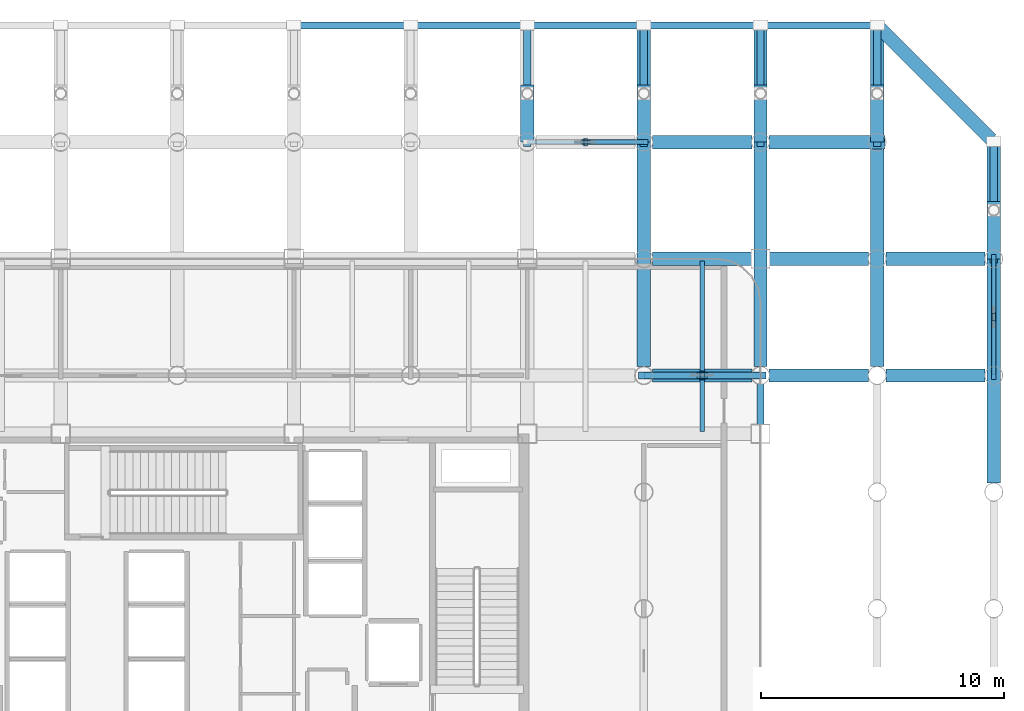
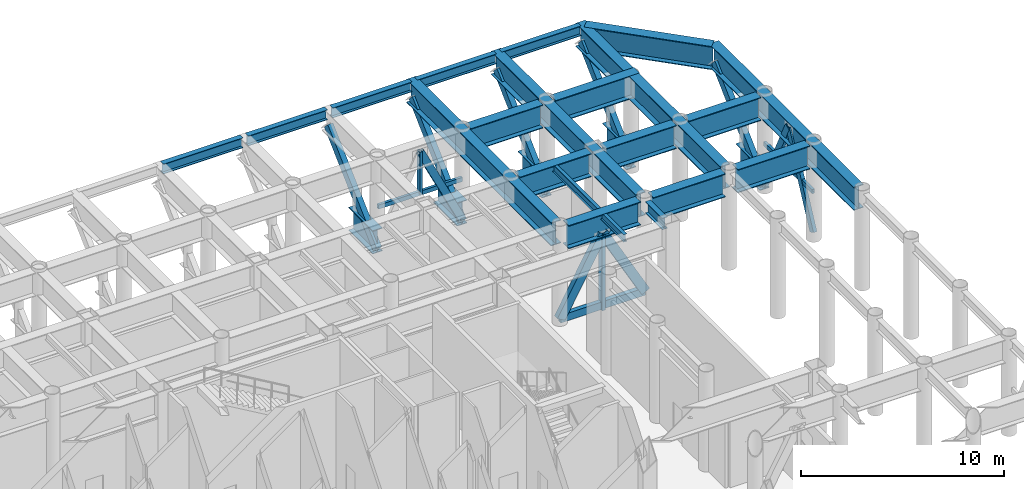
# One storey, part 10 of 19: 25 beams, 16 members.
"""IFC4 building model written with IfcOpenShell, lengths in metres."""

from ifc_helpers import new_model, si_unit, direction, frame, origin, origin_2d, place, context, subcontext, project, spatial, hollow_rectangle, i_section, extrude, material, material_profile, profile_set, type_object, element, save


model = new_model("IFC4")

# Units and contexts
model_context = context("Model", 3, precision=1e-05, world=origin(), true_north=direction((0.0, 1.0)))
body_context = subcontext(model_context, "Body", "Model", "MODEL_VIEW")
ifc_project = project(units=[si_unit("LENGTHUNIT", "METRE"), si_unit("AREAUNIT", "SQUARE_METRE"), si_unit("VOLUMEUNIT", "CUBIC_METRE"), si_unit("PLANEANGLEUNIT", "RADIAN"), si_unit("MASSUNIT", "GRAM", prefix="KILO")], contexts=[model_context])

# Site, building, storey
site_placement = place(None, origin())
site = spatial("IfcSite", under=ifc_project, at=site_placement, CompositionType="ELEMENT")
building_placement = place(site_placement, origin())
building = spatial("IfcBuilding", under=site, at=building_placement, Name="Kallvorn Hotel Tower", CompositionType="ELEMENT")
storey_placement = place(building_placement, frame((0.0, 0.0, 89.199951171875)))
storey = spatial("IfcBuildingStorey", under=building, at=storey_placement, Name="L21", CompositionType="ELEMENT", Elevation=89.199951171875)

# Beams
ifc_material_1 = material(Name="Structural steel S355JR", Category="steel")
ifc_material_profile_1 = material_profile(ifc_material_1, i_section(OverallWidth=0.300048828125, OverallDepth=0.60009765625, WebThickness=0.015380859375, FlangeThickness=0.030029296875, at=origin_2d()), Name="HE 600 B")
ifc_profile_set_1 = profile_set([ifc_material_profile_1], Name="Structural steel S355JR")
beam_type_1 = type_object("IfcBeamType", Name="BM_HE600B", PredefinedType="SPANDREL", material=ifc_profile_set_1)
for number, where, z_axis, x_axis, name in (
    (1, (4.949951171875, 24.0, 5.52001953125), (1.0, 0.0, 0.0), (0.0, 1.0, 0.0), "L22 Perimeter Spandrel 182"),
    (2, (9.75, 24.0, 5.52001953125), (1.0, 0.0, 0.0), (0.0, 1.0, 0.0), "L22 Perimeter Spandrel 183"),
    (3, (14.550048828125, 24.0, 5.52001953125), (1.0, 0.0, 0.0), (0.0, 1.0, 0.0), "L22 Perimeter Spandrel 184"),
    (4, (19.35009765625, 24.0, 5.52001953125), (1.0, 0.0, 0.0), (0.0, 1.0, 0.0), "L22 Perimeter Spandrel 185"),
    (5, (24.14990234375, 24.0, 5.52001953125), (1.0, 0.0, 0.0), (0.0, 1.0, 0.0), "L22 Perimeter Spandrel 186"),
):
    element("IfcBeam", number, at=place(storey_placement, frame(where, z_axis=z_axis, x_axis=x_axis)), inside=storey, type_object=beam_type_1, Name=name, PredefinedType="SPANDREL", context=body_context, shape_type="SweptSolid", body=[
        extrude(i_section(OverallWidth=0.300048828125, OverallDepth=0.60009765625, WebThickness=0.015380859375, FlangeThickness=0.030029296875, at=origin_2d()), origin(), (0.0, 0.0, 1.0), 4.5),
    ])
ifc_material_2 = material(Name="Structural steel S355JR", Category="steel")
ifc_material_profile_2 = material_profile(ifc_material_2, i_section(OverallWidth=0.300048828125, OverallDepth=0.699951171875, WebThickness=0.01708984375, FlangeThickness=0.031982421875, at=origin_2d()), Name="HE 700 B")
ifc_profile_set_2 = profile_set([ifc_material_profile_2], Name="Structural steel S355JR")
beam_type_2 = type_object("IfcBeamType", Name="BM_HE700B", PredefinedType="BEAM", material=ifc_profile_set_2)
beam_1_placement = place(storey_placement, frame((24.0, 7.574951171875, 5.469970703125), z_axis=(0.0, 1.0, 0.0), x_axis=(-1.0, 0.0, 0.0)))
element("IfcBeam", 6, at=beam_1_placement, inside=storey, type_object=beam_type_2, Name="L22 Primary Y-Girder 152", PredefinedType="BEAM", context=body_context, shape_type="SweptSolid", body=[
    extrude(i_section(OverallWidth=0.300048828125, OverallDepth=0.699951171875, WebThickness=0.01708984375, FlangeThickness=0.031982421875, at=origin_2d()), origin(), (0.0, 0.0, 1.0), 1.6689453125),
])
ifc_material_3 = material(Name="Structural steel S355JR", Category="steel")
ifc_material_profile_3 = material_profile(ifc_material_3, i_section(OverallWidth=0.18994140625, OverallDepth=0.449951171875, WebThickness=0.009521484375, FlangeThickness=0.0146484375, at=origin_2d()), Name="IPE 450")
ifc_profile_set_3 = profile_set([ifc_material_profile_3], Name="Structural steel S355JR")
beam_type_3 = type_object("IfcBeamType", Name="BM_IPE450", PredefinedType="JOIST", material=ifc_profile_set_3)
beam_2_placement = place(storey_placement, frame((21.60009765625, 7.300048828125, 5.594970703125), z_axis=(0.0, 1.0, 0.0), x_axis=(-1.0, 0.0, 0.0)))
element("IfcBeam", 7, at=beam_2_placement, inside=storey, type_object=beam_type_3, Name="L22 Secondary Composite Joist 222", PredefinedType="JOIST", context=body_context, shape_type="SweptSolid", body=[
    extrude(i_section(OverallWidth=0.18994140625, OverallDepth=0.449951171875, WebThickness=0.009521484375, FlangeThickness=0.0146484375, at=origin_2d()), origin(), (0.0, 0.0, 1.0), 7.0),
])
ifc_material_4 = material(Name="Structural steel S355JR", Category="steel")
ifc_material_profile_4 = material_profile(ifc_material_4, i_section(OverallWidth=0.550048828125, OverallDepth=1.39990234375, WebThickness=0.02490234375, FlangeThickness=0.044921875, at=origin_2d()), Name="PG 1400x550x25x45")
ifc_profile_set_4 = profile_set([ifc_material_profile_4], Name="Structural steel S355JR")
beam_type_4 = type_object("IfcBeamType", Name="BM_PG_1400", PredefinedType="BEAM", material=ifc_profile_set_4)
beam_3_placement = place(storey_placement, frame((14.39990234375, 19.199951171875, 0.719970703125), z_axis=(0.0, 1.0, 0.0), x_axis=(-1.0, 0.0, 0.0)))
element("IfcBeam", 8, at=beam_3_placement, inside=storey, type_object=beam_type_4, Name="L22 Cantilever Haunch Corbel 09", PredefinedType="BEAM", context=body_context, shape_type="SweptSolid", body=[
    extrude(i_section(OverallWidth=0.550048828125, OverallDepth=1.39990234375, WebThickness=0.02490234375, FlangeThickness=0.044921875, at=origin_2d()), origin(), (0.0, 0.0, 1.0), 2.35009765625),
])
beam_4_placement = place(storey_placement, frame((19.199951171875, 9.970947265625, 5.1201171875), z_axis=(0.0, 1.0, 0.0), x_axis=(-1.0, 0.0, 0.0)))
element("IfcBeam", 9, at=beam_4_placement, inside=storey, type_object=beam_type_4, Name="L22 Continuous Cantilever Transfer Girder 10", PredefinedType="BEAM", context=body_context, shape_type="SweptSolid", body=[
    extrude(i_section(OverallWidth=0.550048828125, OverallDepth=1.39990234375, WebThickness=0.02490234375, FlangeThickness=0.044921875, at=origin_2d()), origin(), (0.0, 0.0, 1.0), 14.208984375),
])
beam_5_placement = place(storey_placement, frame((19.199951171875, 19.199951171875, 0.719970703125), z_axis=(0.0, 1.0, 0.0), x_axis=(-1.0, 0.0, 0.0)))
element("IfcBeam", 10, at=beam_5_placement, inside=storey, type_object=beam_type_4, Name="L22 Cantilever Haunch Corbel 10", PredefinedType="BEAM", context=body_context, shape_type="SweptSolid", body=[
    extrude(i_section(OverallWidth=0.550048828125, OverallDepth=1.39990234375, WebThickness=0.02490234375, FlangeThickness=0.044921875, at=origin_2d()), origin(), (0.0, 0.0, 1.0), 2.35009765625),
])
beam_6_placement = place(storey_placement, frame((24.0, 9.970947265625, 5.1201171875), z_axis=(0.0, 1.0, 0.0), x_axis=(-1.0, 0.0, 0.0)))
element("IfcBeam", 11, at=beam_6_placement, inside=storey, type_object=beam_type_4, Name="L22 Continuous Cantilever Transfer Girder 11", PredefinedType="BEAM", context=body_context, shape_type="SweptSolid", body=[
    extrude(i_section(OverallWidth=0.550048828125, OverallDepth=1.39990234375, WebThickness=0.02490234375, FlangeThickness=0.044921875, at=origin_2d()), origin(), (0.0, 0.0, 1.0), 14.208984375),
])
beam_7_placement = place(storey_placement, frame((24.0, 19.199951171875, 0.719970703125), z_axis=(0.0, 1.0, 0.0), x_axis=(-1.0, 0.0, 0.0)))
element("IfcBeam", 12, at=beam_7_placement, inside=storey, type_object=beam_type_4, Name="L22 Cantilever Haunch Corbel 11", PredefinedType="BEAM", context=body_context, shape_type="SweptSolid", body=[
    extrude(i_section(OverallWidth=0.550048828125, OverallDepth=1.39990234375, WebThickness=0.02490234375, FlangeThickness=0.044921875, at=origin_2d()), origin(), (0.0, 0.0, 1.0), 2.35009765625),
])
beam_8_placement = place(storey_placement, frame((28.800048828125, 9.970947265625, 5.1201171875), z_axis=(0.0, 1.0, 0.0), x_axis=(-1.0, 0.0, 0.0)))
element("IfcBeam", 13, at=beam_8_placement, inside=storey, type_object=beam_type_4, Name="L22 Continuous Cantilever Transfer Girder 12", PredefinedType="BEAM", context=body_context, shape_type="SweptSolid", body=[
    extrude(i_section(OverallWidth=0.550048828125, OverallDepth=1.39990234375, WebThickness=0.02490234375, FlangeThickness=0.044921875, at=origin_2d()), origin(), (0.0, 0.0, 1.0), 14.208984375),
])
beam_9_placement = place(storey_placement, frame((28.800048828125, 19.199951171875, 0.719970703125), z_axis=(0.0, 1.0, 0.0), x_axis=(-1.0, 0.0, 0.0)))
element("IfcBeam", 14, at=beam_9_placement, inside=storey, type_object=beam_type_4, Name="L22 Cantilever Haunch Corbel 12", PredefinedType="BEAM", context=body_context, shape_type="SweptSolid", body=[
    extrude(i_section(OverallWidth=0.550048828125, OverallDepth=1.39990234375, WebThickness=0.02490234375, FlangeThickness=0.044921875, at=origin_2d()), origin(), (0.0, 0.0, 1.0), 2.35009765625),
])
beam_10_placement = place(storey_placement, frame((33.60009765625, 5.1708984375, 5.1201171875), z_axis=(0.0, 1.0, 0.0), x_axis=(-1.0, 0.0, 0.0)))
element("IfcBeam", 15, at=beam_10_placement, inside=storey, type_object=beam_type_4, Name="L22 Continuous Cantilever Transfer Girder 13", PredefinedType="BEAM", context=body_context, shape_type="SweptSolid", body=[
    extrude(i_section(OverallWidth=0.550048828125, OverallDepth=1.39990234375, WebThickness=0.02490234375, FlangeThickness=0.044921875, at=origin_2d()), origin(), (0.0, 0.0, 1.0), 14.208984375),
])
beam_11_placement = place(storey_placement, frame((33.60009765625, 14.39990234375, 0.719970703125), z_axis=(0.0, 1.0, 0.0), x_axis=(-1.0, 0.0, 0.0)))
element("IfcBeam", 16, at=beam_11_placement, inside=storey, type_object=beam_type_4, Name="L22 Cantilever Haunch Corbel 13", PredefinedType="BEAM", context=body_context, shape_type="SweptSolid", body=[
    extrude(i_section(OverallWidth=0.550048828125, OverallDepth=1.39990234375, WebThickness=0.02490234375, FlangeThickness=0.044921875, at=origin_2d()), origin(), (0.0, 0.0, 1.0), 2.35009765625),
])
for number, where, z_axis, x_axis, name in (
    (17, (19.555908203125, 9.60009765625, 5.1201171875), (1.0, 0.0, 0.0), (0.0, 1.0, 0.0), "L22 Primary X-Girder 61"),
    (18, (24.35595703125, 9.60009765625, 5.1201171875), (1.0, 0.0, 0.0), (0.0, 1.0, 0.0), "L22 Primary X-Girder 62"),
):
    element("IfcBeam", number, at=place(storey_placement, frame(where, z_axis=z_axis, x_axis=x_axis)), inside=storey, type_object=beam_type_4, Name=name, PredefinedType="BEAM", context=body_context, shape_type="SweptSolid", body=[
        extrude(i_section(OverallWidth=0.550048828125, OverallDepth=1.39990234375, WebThickness=0.02490234375, FlangeThickness=0.044921875, at=origin_2d()), origin(), (0.0, 0.0, 1.0), 4.088134765625),
    ])
beam_12_placement = place(storey_placement, frame((29.156005859375, 9.60009765625, 5.1201171875), z_axis=(1.0, 0.0, 0.0), x_axis=(0.0, 1.0, 0.0)))
element("IfcBeam", 19, at=beam_12_placement, inside=storey, type_object=beam_type_4, Name="L22 Primary X-Girder 63", PredefinedType="BEAM", context=body_context, shape_type="SweptSolid", body=[
    extrude(i_section(OverallWidth=0.550048828125, OverallDepth=1.39990234375, WebThickness=0.02490234375, FlangeThickness=0.044921875, at=origin_2d()), origin(), (0.0, 0.0, 1.0), 4.087890625),
])
for number, where, z_axis, x_axis, name in (
    (20, (19.555908203125, 14.39990234375, 5.1201171875), (1.0, 0.0, 0.0), (0.0, 1.0, 0.0), "L22 Primary X-Girder 71"),
    (21, (24.375, 14.39990234375, 5.1201171875), (1.0, 0.0, 0.0), (0.0, 1.0, 0.0), "L22 Primary X-Girder 72"),
):
    element("IfcBeam", number, at=place(storey_placement, frame(where, z_axis=z_axis, x_axis=x_axis)), inside=storey, type_object=beam_type_4, Name=name, PredefinedType="BEAM", context=body_context, shape_type="SweptSolid", body=[
        extrude(i_section(OverallWidth=0.550048828125, OverallDepth=1.39990234375, WebThickness=0.02490234375, FlangeThickness=0.044921875, at=origin_2d()), origin(), (0.0, 0.0, 1.0), 4.069091796875),
    ])
beam_13_placement = place(storey_placement, frame((29.156005859375, 14.39990234375, 5.1201171875), z_axis=(1.0, 0.0, 0.0), x_axis=(0.0, 1.0, 0.0)))
element("IfcBeam", 22, at=beam_13_placement, inside=storey, type_object=beam_type_4, Name="L22 Primary X-Girder 73", PredefinedType="BEAM", context=body_context, shape_type="SweptSolid", body=[
    extrude(i_section(OverallWidth=0.550048828125, OverallDepth=1.39990234375, WebThickness=0.02490234375, FlangeThickness=0.044921875, at=origin_2d()), origin(), (0.0, 0.0, 1.0), 4.087890625),
])
beam_14_placement = place(storey_placement, frame((19.555908203125, 19.199951171875, 5.1201171875), z_axis=(1.0, 0.0, 0.0), x_axis=(0.0, 1.0, 0.0)))
element("IfcBeam", 23, at=beam_14_placement, inside=storey, type_object=beam_type_4, Name="L22 Primary X-Girder 84", PredefinedType="BEAM", context=body_context, shape_type="SweptSolid", body=[
    extrude(i_section(OverallWidth=0.550048828125, OverallDepth=1.39990234375, WebThickness=0.02490234375, FlangeThickness=0.044921875, at=origin_2d()), origin(), (0.0, 0.0, 1.0), 4.088134765625),
])
beam_15_placement = place(storey_placement, frame((24.35595703125, 19.199951171875, 5.1201171875), z_axis=(1.0, 0.0, 0.0), x_axis=(0.0, 1.0, 0.0)))
element("IfcBeam", 24, at=beam_15_placement, inside=storey, type_object=beam_type_4, Name="L22 Primary X-Girder 85", PredefinedType="BEAM", context=body_context, shape_type="SweptSolid", body=[
    extrude(i_section(OverallWidth=0.550048828125, OverallDepth=1.39990234375, WebThickness=0.02490234375, FlangeThickness=0.044921875, at=origin_2d()), origin(), (0.0, 0.0, 1.0), 4.76416015625),
])
beam_16_placement = place(storey_placement, frame((33.493896484375, 19.30615234375, 5.1201171875), z_axis=(-0.707125595474, 0.707087966398, 0.0), x_axis=(-0.707087966398, -0.707125595474, 0.0)))
element("IfcBeam", 25, at=beam_16_placement, inside=storey, type_object=beam_type_4, Name="L22 Rounded Corner Tie Beam 204", PredefinedType="BEAM", context=body_context, shape_type="SweptSolid", body=[
    extrude(i_section(OverallWidth=0.550048828125, OverallDepth=1.39990234375, WebThickness=0.02490234375, FlangeThickness=0.044921875, at=origin_2d()), origin(), (0.0, 0.0, 1.0), 6.488037109375),
])

# Members
ifc_material_5 = material(Name="Structural steel S355J2H", Category="steel")
ifc_material_profile_5 = material_profile(ifc_material_5, hollow_rectangle(XDim=0.199951171875, YDim=0.39990234375, WallThickness=0.02001953125, at=origin_2d()), Name="RHS 400x200x20")
ifc_profile_set_5 = profile_set([ifc_material_profile_5], Name="Structural steel S355J2H")
member_type_1 = type_object("IfcMemberType", Name="MBR_BELT_RHS400", PredefinedType="BRACE", material=ifc_profile_set_5)
for number, where, z_axis, x_axis, name in (
    (26, (19.191162109375, 19.199951171875, 0.3681640625), (-0.439148786384, 0.0, 0.898414349517), (0.0, -1.0, 0.0), "L21 Belt Truss Diagonal 4B"),
    (27, (33.60009765625, 9.60888671875, 0.3681640625), (0.0, 0.439148786384, 0.898414349517), (-1.0, 0.0, 0.0), "L21 Belt Truss Diagonal 8A"),
    (28, (33.60009765625, 14.39111328125, 0.3681640625), (0.0, -0.439148786384, 0.898414349517), (1.0, 0.0, 0.0), "L21 Belt Truss Diagonal 8B"),
):
    element("IfcMember", number, at=place(storey_placement, frame(where, z_axis=z_axis, x_axis=x_axis)), inside=storey, type_object=member_type_1, Name=name, PredefinedType="BRACE", context=body_context, shape_type="SweptSolid", body=[
        extrude(hollow_rectangle(XDim=0.199951171875, YDim=0.39990234375, WallThickness=0.02001953125, at=origin_2d()), origin(), (0.0, 0.0, 1.0), 5.4248046875),
    ])
ifc_material_6 = material(Name="Structural steel S355J2H", Category="steel")
ifc_material_profile_6 = material_profile(ifc_material_6, hollow_rectangle(XDim=0.25, YDim=0.449951171875, WallThickness=0.02197265625, at=origin_2d()), Name="RHS 450x250x22")
ifc_profile_set_6 = profile_set([ifc_material_profile_6], Name="Structural steel S355J2H")
member_type_2 = type_object("IfcMemberType", Name="MBR_CHORD_RHS450", PredefinedType="CHORD", material=ifc_profile_set_6)
member_1_placement = place(storey_placement, frame((19.199951171875, 9.60009765625, 0.239990234375), z_axis=(1.0, 0.0, 0.0), x_axis=(0.0, 1.0, 0.0)))
element("IfcMember", 29, at=member_1_placement, inside=storey, type_object=member_type_2, Name="L21 Outrigger Truss Bottom Chord OTE2", PredefinedType="CHORD", context=body_context, shape_type="SweptSolid", body=[
    extrude(hollow_rectangle(XDim=0.25, YDim=0.449951171875, WallThickness=0.02197265625, at=origin_2d()), origin(), (0.0, 0.0, 1.0), 4.800048828125),
])
ifc_material_7 = material(Name="Structural steel S355J2H", Category="steel")
ifc_material_profile_7 = material_profile(ifc_material_7, hollow_rectangle(XDim=0.14990234375, YDim=0.25, WallThickness=0.010009765625, at=origin_2d()), Name="RHS 250x150x10")
ifc_profile_set_7 = profile_set([ifc_material_profile_7], Name="Structural steel S355J2H")
member_type_3 = type_object("IfcMemberType", Name="MBR_COLLAR_RHS250", PredefinedType="COLLAR", material=ifc_profile_set_7)
member_2_placement = place(storey_placement, frame((14.419921875, 19.199951171875, 2.78515625), z_axis=(1.0, 0.0, 0.0), x_axis=(0.0, 1.0, 0.0)))
element("IfcMember", 30, at=member_2_placement, inside=storey, type_object=member_type_3, Name="L21 Belt Truss Tie Collar 4", PredefinedType="COLLAR", context=body_context, shape_type="SweptSolid", body=[
    extrude(hollow_rectangle(XDim=0.14990234375, YDim=0.25, WallThickness=0.010009765625, at=origin_2d()), origin(), (0.0, 0.0, 1.0), 4.760009765625),
])
member_3_placement = place(storey_placement, frame((33.60009765625, 9.6201171875, 2.78515625), z_axis=(0.0, 1.0, 0.0), x_axis=(-1.0, 0.0, 0.0)))
element("IfcMember", 31, at=member_3_placement, inside=storey, type_object=member_type_3, Name="L21 Belt Truss Tie Collar 8", PredefinedType="COLLAR", context=body_context, shape_type="SweptSolid", body=[
    extrude(hollow_rectangle(XDim=0.14990234375, YDim=0.25, WallThickness=0.010009765625, at=origin_2d()), origin(), (0.0, 0.0, 1.0), 4.759765625),
])
ifc_material_8 = material(Name="Structural steel S355J2H", Category="steel")
ifc_material_profile_8 = material_profile(ifc_material_8, hollow_rectangle(XDim=0.300048828125, YDim=0.5, WallThickness=0.02490234375, at=origin_2d()), Name="RHS 500x300x25")
ifc_profile_set_8 = profile_set([ifc_material_profile_8], Name="Structural steel S355J2H")
member_type_4 = type_object("IfcMemberType", Name="MBR_OUTRIGGER_RHS500", PredefinedType="BRACE", material=ifc_profile_set_8)
for number, where, z_axis, x_axis, name in (
    (32, (14.39990234375, 19.199951171875, 0.25), (0.0, 0.728023860888, 0.685551790879), (-1.0, 0.0, 0.0), "L22 Exoskeleton Cantilever Raking Strut 09"),
    (33, (19.199951171875, 19.199951171875, 0.25), (0.0, 0.728023860888, 0.685551790879), (-1.0, 0.0, 0.0), "L22 Exoskeleton Cantilever Raking Strut 10"),
    (34, (24.0, 19.199951171875, 0.25), (0.0, 0.728023860888, 0.685551790879), (-1.0, 0.0, 0.0), "L22 Exoskeleton Cantilever Raking Strut 11"),
    (35, (28.800048828125, 19.199951171875, 0.25), (0.0, 0.728023860888, 0.685551790879), (-1.0, 0.0, 0.0), "L22 Exoskeleton Cantilever Raking Strut 12"),
    (36, (33.60009765625, 14.39990234375, 0.25), (0.0, 0.728023860888, 0.685551790879), (-1.0, 0.0, 0.0), "L22 Exoskeleton Cantilever Raking Strut 13"),
):
    element("IfcMember", number, at=place(storey_placement, frame(where, z_axis=z_axis, x_axis=x_axis)), inside=storey, type_object=member_type_4, Name=name, PredefinedType="BRACE", context=body_context, shape_type="SweptSolid", body=[
        extrude(hollow_rectangle(XDim=0.300048828125, YDim=0.5, WallThickness=0.02490234375, at=origin_2d()), origin(), (0.0, 0.0, 1.0), 6.59326171875),
    ])
member_4_placement = place(storey_placement, frame((19.199951171875, 9.60009765625, 0.239990234375), z_axis=(0.485659708735, 0.0, 0.874147955046), x_axis=(0.0, 1.0, 0.0)))
element("IfcMember", 37, at=member_4_placement, inside=storey, type_object=member_type_4, Name="L21 Outrigger Truss Diagonal OTE2A", PredefinedType="BRACE", context=body_context, shape_type="SweptSolid", body=[
    extrude(hollow_rectangle(XDim=0.300048828125, YDim=0.5, WallThickness=0.02490234375, at=origin_2d()), origin(), (0.0, 0.0, 1.0), 4.942138671875),
])
member_5_placement = place(storey_placement, frame((24.0, 9.60009765625, 0.239990234375), z_axis=(-0.485621958479, 0.0, 0.874168927292), x_axis=(0.0, -1.0, 0.0)))
element("IfcMember", 38, at=member_5_placement, inside=storey, type_object=member_type_4, Name="L21 Outrigger Truss Diagonal OTE2B", PredefinedType="BRACE", context=body_context, shape_type="SweptSolid", body=[
    extrude(hollow_rectangle(XDim=0.300048828125, YDim=0.5, WallThickness=0.02490234375, at=origin_2d()), origin(), (0.0, 0.0, 1.0), 4.94189453125),
])
ifc_material_9 = material(Name="Structural steel S355J2H", Category="steel")
ifc_material_profile_9 = material_profile(ifc_material_9, hollow_rectangle(XDim=0.199951171875, YDim=0.35009765625, WallThickness=0.01611328125, at=origin_2d()), Name="RHS 350x200x16")
ifc_profile_set_9 = profile_set([ifc_material_profile_9], Name="Structural steel S355J2H")
member_type_5 = type_object("IfcMemberType", Name="MBR_POST_RHS350", PredefinedType="POST", material=ifc_profile_set_9)
member_6_placement = place(storey_placement, frame((21.60009765625, 9.60009765625, -0.0400390625), z_axis=(0.0, 0.0, 1.0), x_axis=(1.0, 0.0, 0.0)))
element("IfcMember", 39, at=member_6_placement, inside=storey, type_object=member_type_5, Name="L21 Outrigger Truss Post OTE2", PredefinedType="POST", context=body_context, shape_type="SweptSolid", body=[
    extrude(hollow_rectangle(XDim=0.199951171875, YDim=0.35009765625, WallThickness=0.01611328125, at=origin_2d()), origin(), (0.0, 0.0, 1.0), 4.5400390625),
])
ifc_material_10 = material(Name="Structural steel S355J2H", Category="steel")
ifc_material_profile_10 = material_profile(ifc_material_10, hollow_rectangle(XDim=0.14990234375, YDim=0.300048828125, WallThickness=0.012451171875, at=origin_2d()), Name="RHS 300x150x12.5")
ifc_profile_set_10 = profile_set([ifc_material_profile_10], Name="Structural steel S355J2H")
member_type_6 = type_object("IfcMemberType", Name="MBR_STRUT_RHS300", PredefinedType="STRUT", material=ifc_profile_set_10)
for number, where, z_axis, x_axis, name in (
    (40, (16.800048828125, 19.199951171875, 2.735107421875), (0.0, 0.0, 1.0), (1.0, 0.0, 0.0), "L21 Belt Truss Strut 4"),
    (41, (33.60009765625, 12.0, 2.735107421875), (0.0, 0.0, 1.0), (1.0, 0.0, 0.0), "L21 Belt Truss Strut 8"),
):
    element("IfcMember", number, at=place(storey_placement, frame(where, z_axis=z_axis, x_axis=x_axis)), inside=storey, type_object=member_type_6, Name=name, PredefinedType="STRUT", context=body_context, shape_type="SweptSolid", body=[
        extrude(hollow_rectangle(XDim=0.14990234375, YDim=0.300048828125, WallThickness=0.012451171875, at=origin_2d()), origin(), (0.0, 0.0, 1.0), 2.56494140625),
    ])

save(model, "model.ifc")
